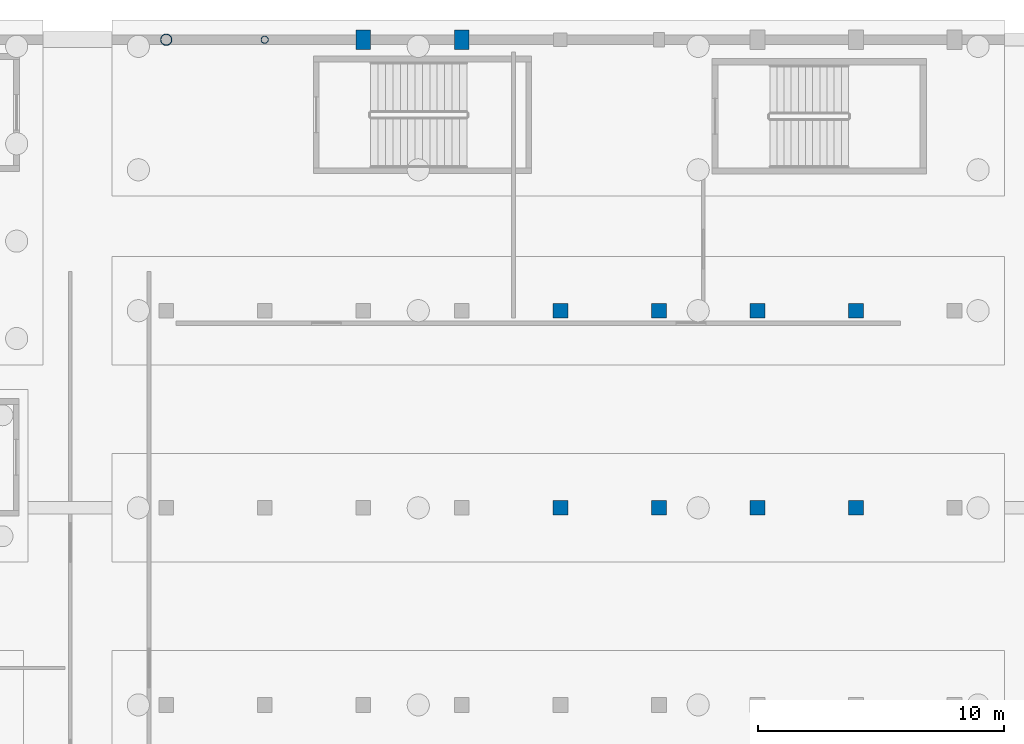
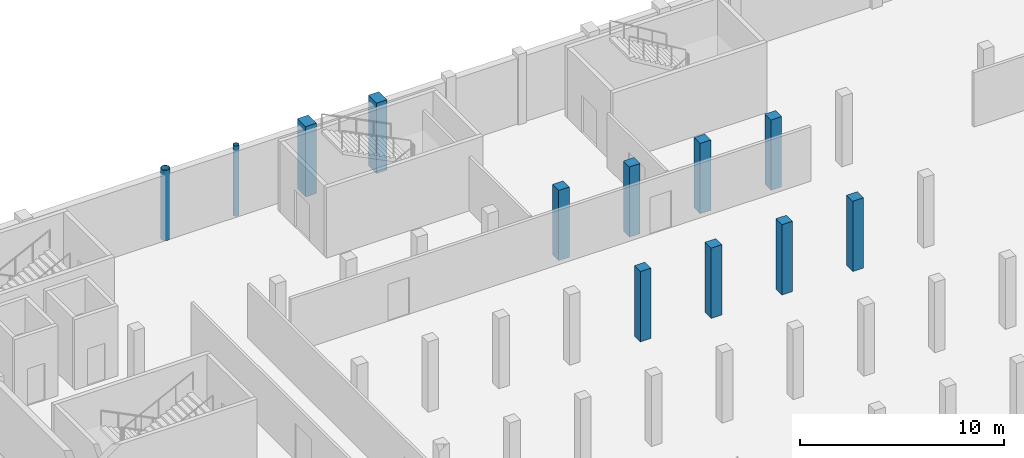
# One storey, part 6 of 15: 12 columns.
"""IFC4 building model written with IfcOpenShell, lengths in metres."""

from ifc_helpers import new_model, si_unit, derived_unit, direction, frame, origin, origin_2d, place, context, subcontext, project, spatial, rectangle, hollow_circle, extrude, material, material_profile, profile_set, type_object, element, save


model = new_model("IFC4")

# Units and contexts
model_context = context("Model", 3, precision=1e-05, world=origin(), true_north=direction((0.0, 1.0)))
body_context = subcontext(model_context, "Body", "Model", "MODEL_VIEW")
ifc_project = project(units=[si_unit("LENGTHUNIT", "METRE"), si_unit("AREAUNIT", "SQUARE_METRE"), si_unit("VOLUMEUNIT", "CUBIC_METRE"), si_unit("PLANEANGLEUNIT", "RADIAN"), si_unit("MASSUNIT", "GRAM", prefix="KILO"), derived_unit("THERMALTRANSMITTANCEUNIT", [(si_unit("POWERUNIT", "WATT"), 1), (si_unit("LENGTHUNIT", "METRE"), -2), (si_unit("THERMODYNAMICTEMPERATUREUNIT", "KELVIN"), -1)])], contexts=[model_context])

# Site, building, storey
site_placement = place(None, origin())
site = spatial("IfcSite", under=ifc_project, at=site_placement, CompositionType="ELEMENT")
building_placement = place(site_placement, origin())
building = spatial("IfcBuilding", under=site, at=building_placement, Name="Keldorne Ridge Multi-Sports Centre", CompositionType="ELEMENT")
storey_placement = place(building_placement, frame((0.0, 0.0, -4.199951171875)))
storey = spatial("IfcBuildingStorey", under=building, at=storey_placement, Name="B01", CompositionType="ELEMENT", Elevation=-4.199951171875)

# Columns
ifc_material_1 = material(Name="Concrete C40/50", Category="concrete")
ifc_material_profile_1 = material_profile(ifc_material_1, rectangle(XDim=0.60009765625, YDim=0.60009765625, at=origin_2d()), Name="RC 600x600")
ifc_profile_set_1 = profile_set([ifc_material_profile_1], Name="Concrete C40/50")
column_type_1 = type_object("IfcColumnType", Name="COL-C-20", PredefinedType="COLUMN", material=ifc_profile_set_1)
for number, where, z_axis, x_axis, name in (
    (1, (136.0, 98.0, 0.0), (0.0, 0.0, 1.0), (1.0, 0.0, 0.0), "Structural column V5-C-07-05 on B01"),
    (2, (136.0, 106.0, 0.0), (0.0, 0.0, 1.0), (1.0, 0.0, 0.0), "Structural column V5-C-07-06 on B01"),
    (3, (140.0, 98.0, 0.0), (0.0, 0.0, 1.0), (1.0, 0.0, 0.0), "Structural column V5-C-08-05 on B01"),
    (4, (140.0, 106.0, 0.0), (0.0, 0.0, 1.0), (1.0, 0.0, 0.0), "Structural column V5-C-08-06 on B01"),
    (5, (144.0, 98.0, 0.0), (0.0, 0.0, 1.0), (1.0, 0.0, 0.0), "Structural column V5-C-09-05 on B01"),
    (6, (144.0, 106.0, 0.0), (0.0, 0.0, 1.0), (1.0, 0.0, 0.0), "Structural column V5-C-09-06 on B01"),
    (7, (148.0, 98.0, 0.0), (0.0, 0.0, 1.0), (1.0, 0.0, 0.0), "Structural column V5-C-10-05 on B01"),
    (8, (148.0, 106.0, 0.0), (0.0, 0.0, 1.0), (1.0, 0.0, 0.0), "Structural column V5-C-10-06 on B01"),
):
    element("IfcColumn", number, at=place(storey_placement, frame(where, z_axis=z_axis, x_axis=x_axis)), inside=storey, type_object=column_type_1, Name=name, PredefinedType="COLUMN", context=body_context, shape_type="SweptSolid", body=[
        extrude(rectangle(XDim=0.60009765625, YDim=0.60009765625, at=origin_2d()), origin(), (0.0, 0.0, 1.0), 4.199951171875),
    ])
ifc_material_profile_2 = material_profile(ifc_material_1, rectangle(XDim=0.60009765625, YDim=0.800048828125, at=origin_2d()), Name="RC 600x800")
ifc_profile_set_2 = profile_set([ifc_material_profile_2], Name="Concrete C40/50")
column_type_2 = type_object("IfcColumnType", Name="COL-C-23", PredefinedType="COLUMN", material=ifc_profile_set_2)
for number, where, z_axis, x_axis, name in (
    (9, (128.0, 117.0, 0.0), (0.0, 0.0, 1.0), (1.0, 0.0, 0.0), "Structural column V5-C-05-07 on B01"),
    (10, (132.0, 117.0, 0.0), (0.0, 0.0, 1.0), (1.0, 0.0, 0.0), "Structural column V5-C-06-07 on B01"),
):
    element("IfcColumn", number, at=place(storey_placement, frame(where, z_axis=z_axis, x_axis=x_axis)), inside=storey, type_object=column_type_2, Name=name, PredefinedType="COLUMN", context=body_context, shape_type="SweptSolid", body=[
        extrude(rectangle(XDim=0.60009765625, YDim=0.800048828125, at=origin_2d()), origin(), (0.0, 0.0, 1.0), 4.199951171875),
    ])
ifc_material_2 = material(Name="Steel S355", Category="steel")
ifc_material_profile_3 = material_profile(ifc_material_2, hollow_circle(Radius=0.228515625, WallThickness=0.01611328125, at=origin_2d()), Name="CHS 457x16")
ifc_profile_set_3 = profile_set([ifc_material_profile_3], Name="Steel S355")
column_type_3 = type_object("IfcColumnType", Name="COL-C-34", PredefinedType="COLUMN", material=ifc_profile_set_3)
column_1_placement = place(storey_placement, frame((120.0, 117.0, 0.0), z_axis=(0.0, 0.0, 1.0), x_axis=(1.0, 0.0, 0.0)))
element("IfcColumn", 11, at=column_1_placement, inside=storey, type_object=column_type_3, Name="Structural column V5-C-03-07 on B01", PredefinedType="COLUMN", context=body_context, shape_type="SweptSolid", body=[
    extrude(hollow_circle(Radius=0.228515625, WallThickness=0.01611328125, at=origin_2d()), origin(), (0.0, 0.0, 1.0), 4.199951171875),
])
ifc_material_profile_4 = material_profile(ifc_material_2, hollow_circle(Radius=0.149169921875, WallThickness=0.012451171875, at=origin_2d()), Name="CHS 298.5x12.5")
ifc_profile_set_4 = profile_set([ifc_material_profile_4], Name="Steel S355")
column_type_4 = type_object("IfcColumnType", Name="COL-C-35", PredefinedType="COLUMN", material=ifc_profile_set_4)
column_2_placement = place(storey_placement, frame((124.0, 117.0, 0.0), z_axis=(0.0, 0.0, 1.0), x_axis=(1.0, 0.0, 0.0)))
element("IfcColumn", 12, at=column_2_placement, inside=storey, type_object=column_type_4, Name="Structural column V5-C-04-07 on B01", PredefinedType="COLUMN", context=body_context, shape_type="SweptSolid", body=[
    extrude(hollow_circle(Radius=0.149169921875, WallThickness=0.012451171875, at=origin_2d()), origin(), (0.0, 0.0, 1.0), 4.199951171875),
])

save(model, "model.ifc")
